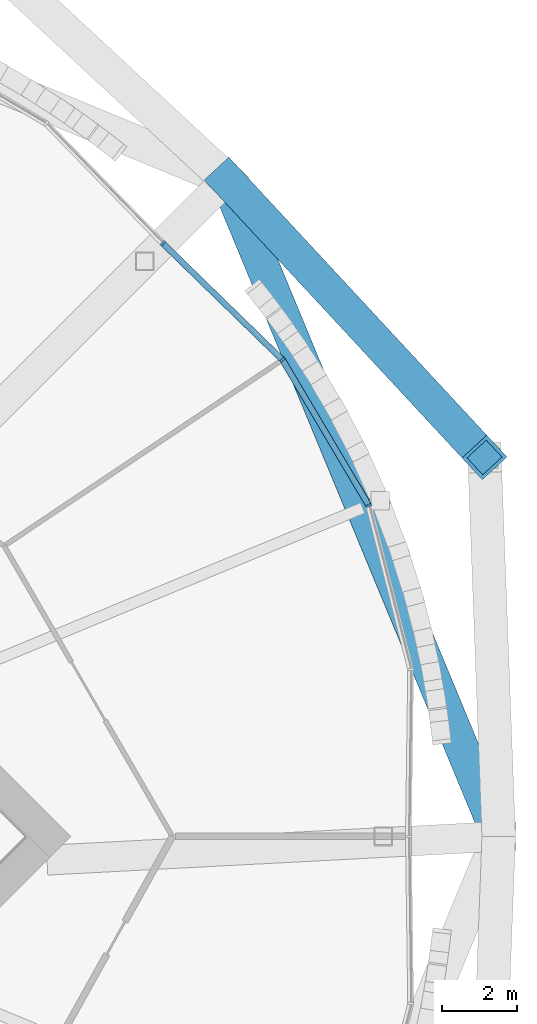
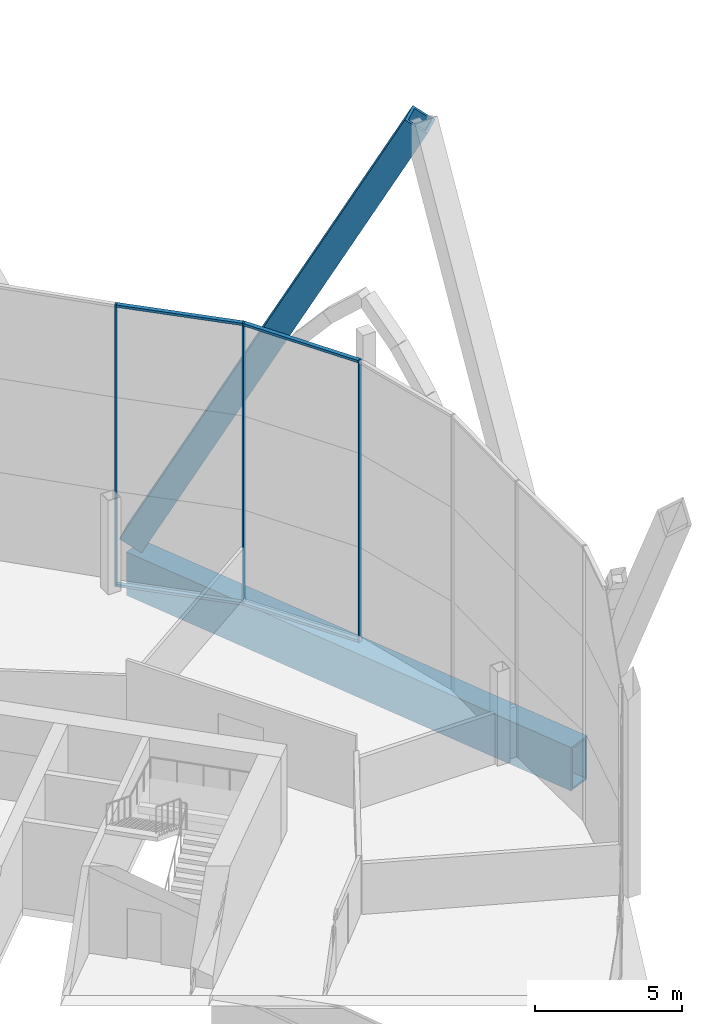
# One storey, part 23 of 37: 8 members, 1 beam, 1 element without a shape of its own.
"""IFC4 building model written with IfcOpenShell, lengths in metres."""

from ifc_helpers import new_model, si_unit, direction, frame, origin, origin_2d, place, context, subcontext, project, spatial, rectangle, hollow_rectangle, extrude, material, material_profile, profile_set, type_object, element, aggregate, save


model = new_model("IFC4")

# Units and contexts
model_context = context("Model", 3, precision=1e-05, world=origin(), true_north=direction((0.0, 1.0)))
body_context = subcontext(model_context, "Body", "Model", "MODEL_VIEW")
ifc_project = project(units=[si_unit("LENGTHUNIT", "METRE"), si_unit("AREAUNIT", "SQUARE_METRE"), si_unit("VOLUMEUNIT", "CUBIC_METRE"), si_unit("PLANEANGLEUNIT", "RADIAN"), si_unit("MASSUNIT", "GRAM", prefix="KILO")], contexts=[model_context])

# Site, building, storey
site_placement = place(None, origin())
site = spatial("IfcSite", under=ifc_project, at=site_placement, CompositionType="ELEMENT")
building_placement = place(site_placement, origin())
building = spatial("IfcBuilding", under=site, at=building_placement, Name="Ogive Gate Towers", CompositionType="ELEMENT")
storey_placement = place(building_placement, frame((0.0, 0.0, 32.39990234375)))
storey = spatial("IfcBuildingStorey", under=building, at=storey_placement, Name="L06", CompositionType="ELEMENT", Elevation=32.39990234375)

# Member
ifc_material_1 = material(Name="Steel SM460", Category="steel")
ifc_material_profile_1 = material_profile(ifc_material_1, hollow_rectangle(XDim=0.89990234375, YDim=0.89990234375, WallThickness=0.10009765625, at=origin_2d()), Name="BX 900x900x100")
ifc_profile_set_1 = profile_set([ifc_material_profile_1], Name="Steel SM460")
member_type_1 = type_object("IfcMemberType", Name="Diagrid diagonal BX 900x900x100", PredefinedType="BRACE", material=ifc_profile_set_1)
member_1_placement = place(storey_placement, frame((53.614013671875, 17.614013671875, 0.0), z_axis=(0.31444089886, -0.338942066201, 0.886704684144), x_axis=(0.733107278791, 0.68011301839, 0.0)))
element("IfcMember", 1, at=member_1_placement, inside=storey, type_object=member_type_1, Name="T2/L06/SDG003", PredefinedType="BRACE", context=body_context, shape_type="SweptSolid", body=[
    extrude(hollow_rectangle(XDim=0.89990234375, YDim=0.89990234375, WallThickness=0.10009765625, at=origin_2d()), origin(), (0.0, 0.0, 1.0), 21.991455078125),
])

# Beam
ifc_material_profile_2 = material_profile(ifc_material_1, hollow_rectangle(XDim=0.89990234375, YDim=1.800048828125, WallThickness=0.080078125, at=origin_2d()), Name="BX 1800x900x80")
ifc_profile_set_2 = profile_set([ifc_material_profile_2], Name="Steel SM460")
beam_type = type_object("IfcBeamType", Name="Edge girder BX 1800x900x80", PredefinedType="BEAM", material=ifc_profile_set_2)
beam_placement = place(storey_placement, frame((60.909912109375, 0.0, -1.199951171875), z_axis=(-0.382680526191, 0.923880736283, 0.0), x_axis=(-0.923880736283, -0.382680526191, 0.0)))
element("IfcBeam", 2, at=beam_placement, inside=storey, type_object=beam_type, Name="T2/L06/SBM020", PredefinedType="BEAM", context=body_context, shape_type="SweptSolid", body=[
    extrude(hollow_rectangle(XDim=0.89990234375, YDim=1.800048828125, WallThickness=0.080078125, at=origin_2d()), origin(), (0.0, 0.0, 1.0), 19.065185546875),
])

# Curtain wall, members
ifc_material_2 = material(Name="Pale metal aluminium", Category="aluminium")
curtain_wall_type = type_object("IfcCurtainWallType", Name="Tower unitised wall, low zone", PredefinedType="NOTDEFINED", material=ifc_material_2)
curtain_wall_placement = place(storey_placement, origin())
curtain_wall = element("IfcCurtainWall", 3, at=curtain_wall_placement, inside=storey, type_object=curtain_wall_type, Name="CW1 T2 ECW01", PredefinedType="NOTDEFINED")
ifc_material_profile_3 = material_profile(ifc_material_2, rectangle(XDim=0.159912109375, YDim=0.06005859375, at=origin_2d()), Name="60 x 160 aluminium box")
ifc_profile_set_3 = profile_set([ifc_material_profile_3], Name="Pale metal aluminium")
member_type_2 = type_object("IfcMemberType", Name="Tower unitised wall, low zone mullion 60 x 160", PredefinedType="MULLION", material=ifc_profile_set_3)
member_2_placement = place(storey_placement, frame((57.42578125, 8.874755859375, -0.2998046875), z_axis=(0.0, 0.0, 1.0), x_axis=(0.923879532511, 0.382683432365, 0.0)))
member_2 = element("IfcMember", 4, at=member_2_placement, type_object=member_type_2, Name="CW1 mullion", PredefinedType="MULLION", context=body_context, shape_type="SweptSolid", body=[
    extrude(rectangle(XDim=0.159912109375, YDim=0.06005859375, at=origin_2d()), origin(), (0.0, 0.0, 1.0), 11.699951171875),
])
member_3_placement = place(storey_placement, frame((55.112548828125, 12.778076171875, -0.2998046875), z_axis=(0.0, 0.0, 1.0), x_axis=(0.785759744117, 0.61853182984, 0.0)))
member_3 = element("IfcMember", 5, at=member_3_placement, type_object=member_type_2, Name="CW1 mullion", PredefinedType="MULLION", context=body_context, shape_type="SweptSolid", body=[
    extrude(rectangle(XDim=0.159912109375, YDim=0.06005859375, at=origin_2d()), origin(), (0.0, 0.0, 1.0), 11.699951171875),
])
member_4_placement = place(storey_placement, frame((51.903076171875, 15.902587890625, -0.2998046875), z_axis=(0.0, 0.0, 1.0), x_axis=(0.697590403399, 0.716496775349, 0.0)))
member_4 = element("IfcMember", 6, at=member_4_placement, type_object=member_type_2, Name="CW1 mullion", PredefinedType="MULLION", context=body_context, shape_type="SweptSolid", body=[
    extrude(rectangle(XDim=0.159912109375, YDim=0.06005859375, at=origin_2d()), origin(), (0.0, 0.0, 1.0), 11.699951171875),
])
ifc_material_profile_4 = material_profile(ifc_material_2, rectangle(XDim=0.159912109375, YDim=0.10009765625, at=origin_2d()), Name="100 x 160 aluminium box")
ifc_profile_set_4 = profile_set([ifc_material_profile_4], Name="Pale metal aluminium")
member_type_3 = type_object("IfcMemberType", Name="Tower unitised wall, low zone transom 100 x 160", PredefinedType="USERDEFINED", material=ifc_profile_set_4)
member_5_placement = place(storey_placement, frame((57.41162109375, 8.898193359375, 11.35009765625), z_axis=(-0.509842699042, 0.860267645697, 0.0), x_axis=(-0.860267645697, -0.509842699042, 0.0)))
member_5 = element("IfcMember", 7, at=member_5_placement, type_object=member_type_3, Name="CW1 transom", ObjectType="TRANSOM", PredefinedType="USERDEFINED", context=body_context, shape_type="SweptSolid", body=[
    extrude(rectangle(XDim=0.159912109375, YDim=0.10009765625, at=origin_2d()), origin(), (0.0, 0.0, 1.0), 4.482666015625),
])
member_6_placement = place(storey_placement, frame((57.41162109375, 8.898193359375, -0.25), z_axis=(-0.509842699042, 0.860267645697, 0.0), x_axis=(-0.860267645697, -0.509842699042, 0.0)))
member_6 = element("IfcMember", 8, at=member_6_placement, type_object=member_type_3, Name="CW1 transom", ObjectType="TRANSOM", PredefinedType="USERDEFINED", context=body_context, shape_type="SweptSolid", body=[
    extrude(rectangle(XDim=0.159912109375, YDim=0.10009765625, at=origin_2d()), origin(), (0.0, 0.0, 1.0), 4.482666015625),
])
member_7_placement = place(storey_placement, frame((55.0927734375, 12.797119140625, 11.35009765625), z_axis=(-0.716512582651, 0.697574167313, 0.0), x_axis=(-0.697574167313, -0.716512582651, 0.0)))
member_7 = element("IfcMember", 9, at=member_7_placement, type_object=member_type_3, Name="CW1 transom", ObjectType="TRANSOM", PredefinedType="USERDEFINED", context=body_context, shape_type="SweptSolid", body=[
    extrude(rectangle(XDim=0.159912109375, YDim=0.10009765625, at=origin_2d()), origin(), (0.0, 0.0, 1.0), 4.421630859375),
])
member_8_placement = place(storey_placement, frame((55.0927734375, 12.797119140625, -0.25), z_axis=(-0.716512582651, 0.697574167313, 0.0), x_axis=(-0.697574167313, -0.716512582651, 0.0)))
member_8 = element("IfcMember", 10, at=member_8_placement, type_object=member_type_3, Name="CW1 transom", ObjectType="TRANSOM", PredefinedType="USERDEFINED", context=body_context, shape_type="SweptSolid", body=[
    extrude(rectangle(XDim=0.159912109375, YDim=0.10009765625, at=origin_2d()), origin(), (0.0, 0.0, 1.0), 4.421630859375),
])
aggregate(curtain_wall, [member_2, member_3, member_5, member_6, member_4, member_7, member_8])

save(model, "model.ifc")
